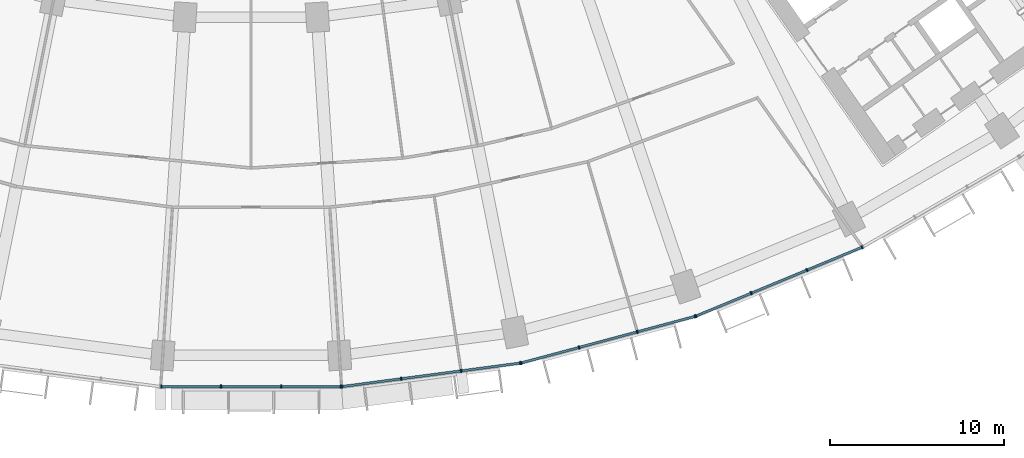
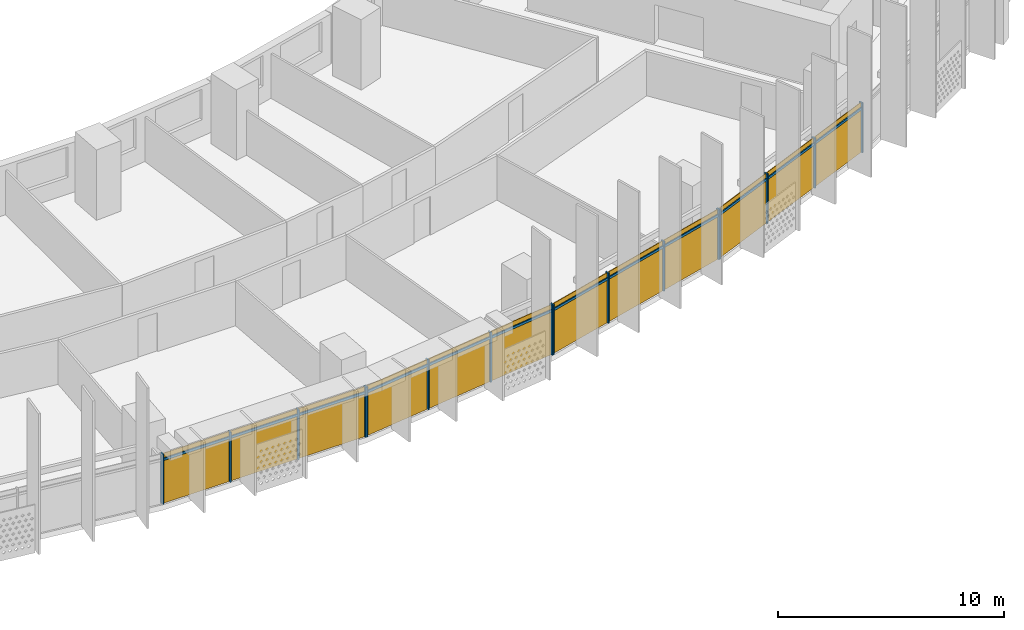
# One storey, part 22 of 32: 28 members, 4 curtain walls.
"""IFC4 building model written with IfcOpenShell, lengths in metres."""

from ifc_helpers import new_model, si_unit, direction, frame, origin, origin_2d, place, context, subcontext, project, spatial, rectangle, extrude, material, material_profile, profile_set, type_object, element, aggregate, save


model = new_model("IFC4")

# Units and contexts
model_context = context("Model", 3, precision=1e-05, world=origin(), true_north=direction((0.0, 1.0)))
body_context = subcontext(model_context, "Body", "Model", "MODEL_VIEW")
ifc_project = project(units=[si_unit("LENGTHUNIT", "METRE"), si_unit("AREAUNIT", "SQUARE_METRE"), si_unit("VOLUMEUNIT", "CUBIC_METRE"), si_unit("PLANEANGLEUNIT", "RADIAN"), si_unit("MASSUNIT", "GRAM", prefix="KILO")], contexts=[model_context])

# Member
ifc_material = material(Name="Aluminium 6063-T6 anodised", Category="aluminium")
ifc_material_profile_1 = material_profile(ifc_material, rectangle(XDim=0.199951171875, YDim=0.070068359375, at=origin_2d()))
ifc_profile_set_1 = profile_set([ifc_material_profile_1], Name="Aluminium 6063-T6 anodised")
member_type_1 = type_object("IfcMemberType", Name="Mullion 70 x 200 aluminium", PredefinedType="MULLION", material=ifc_profile_set_1)
site_placement = place(None, origin())
building_placement = place(site_placement, origin())
storey_placement = place(building_placement, frame((0.0, 0.0, 63.300048828125)))
member_1_placement = place(storey_placement, frame((-5.17431640625, -79.37939453125, 0.0), z_axis=(0.0, 0.0, 1.0), x_axis=(0.0, 1.0, 0.0)))
member_1 = element("IfcMember", 1, at=member_1_placement, type_object=member_type_1, Name="e-cw1-L12-out08/M00", PredefinedType="MULLION", context=body_context, shape_type="SweptSolid", body=[
    extrude(rectangle(XDim=0.199951171875, YDim=0.070068359375, at=origin_2d()), origin(), (0.0, 0.0, 1.0), 2.699951171875),
])

member_2_placement = place(storey_placement, frame((-1.736572265625, -79.37939453125, 0.0), z_axis=(0.0, 0.0, 1.0), x_axis=(0.0, 1.0, 0.0)))
member_2 = element("IfcMember", 2, at=member_2_placement, type_object=member_type_1, Name="e-cw1-L12-out08/M01", PredefinedType="MULLION", context=body_context, shape_type="SweptSolid", body=[
    extrude(rectangle(XDim=0.199951171875, YDim=0.070068359375, at=origin_2d()), origin(), (0.0, 0.0, 1.0), 2.699951171875),
])

member_3_placement = place(storey_placement, frame((1.736572265625, -79.37939453125, 0.0), z_axis=(0.0, 0.0, 1.0), x_axis=(0.0, 1.0, 0.0)))
member_3 = element("IfcMember", 3, at=member_3_placement, type_object=member_type_1, Name="e-cw1-L12-out08/M02", PredefinedType="MULLION", context=body_context, shape_type="SweptSolid", body=[
    extrude(rectangle(XDim=0.199951171875, YDim=0.070068359375, at=origin_2d()), origin(), (0.0, 0.0, 1.0), 2.699951171875),
])

member_4_placement = place(storey_placement, frame((5.17431640625, -79.37939453125, 0.0), z_axis=(0.0, 0.0, 1.0), x_axis=(0.0, 1.0, 0.0)))
member_4 = element("IfcMember", 4, at=member_4_placement, type_object=member_type_1, Name="e-cw1-L12-out08/M03", PredefinedType="MULLION", context=body_context, shape_type="SweptSolid", body=[
    extrude(rectangle(XDim=0.199951171875, YDim=0.070068359375, at=origin_2d()), origin(), (0.0, 0.0, 1.0), 2.699951171875),
])

member_5_placement = place(storey_placement, frame((5.23095703125, -79.375732421875, 0.0), z_axis=(0.0, 0.0, 1.0), x_axis=(-0.13052619222, 0.991444861374, 0.0)))
member_5 = element("IfcMember", 5, at=member_5_placement, type_object=member_type_1, Name="e-cw1-L12-out09/M00", PredefinedType="MULLION", context=body_context, shape_type="SweptSolid", body=[
    extrude(rectangle(XDim=0.199951171875, YDim=0.070068359375, at=origin_2d()), origin(), (0.0, 0.0, 1.0), 2.699951171875),
])

member_6_placement = place(storey_placement, frame((8.639404296875, -78.927001953125, 0.0), z_axis=(0.0, 0.0, 1.0), x_axis=(-0.13052619222, 0.991444861374, 0.0)))
member_6 = element("IfcMember", 6, at=member_6_placement, type_object=member_type_1, Name="e-cw1-L12-out09/M01", PredefinedType="MULLION", context=body_context, shape_type="SweptSolid", body=[
    extrude(rectangle(XDim=0.199951171875, YDim=0.070068359375, at=origin_2d()), origin(), (0.0, 0.0, 1.0), 2.699951171875),
])

member_7_placement = place(storey_placement, frame((12.082763671875, -78.4736328125, 0.0), z_axis=(0.0, 0.0, 1.0), x_axis=(-0.13052619222, 0.991444861374, 0.0)))
member_7 = element("IfcMember", 7, at=member_7_placement, type_object=member_type_1, Name="e-cw1-L12-out09/M02", PredefinedType="MULLION", context=body_context, shape_type="SweptSolid", body=[
    extrude(rectangle(XDim=0.199951171875, YDim=0.070068359375, at=origin_2d()), origin(), (0.0, 0.0, 1.0), 2.699951171875),
])

member_8_placement = place(storey_placement, frame((15.4912109375, -78.02490234375, 0.0), z_axis=(0.0, 0.0, 1.0), x_axis=(-0.13052619222, 0.991444861374, 0.0)))
member_8 = element("IfcMember", 8, at=member_8_placement, type_object=member_type_1, Name="e-cw1-L12-out09/M03", PredefinedType="MULLION", context=body_context, shape_type="SweptSolid", body=[
    extrude(rectangle(XDim=0.199951171875, YDim=0.070068359375, at=origin_2d()), origin(), (0.0, 0.0, 1.0), 2.699951171875),
])

member_9_placement = place(storey_placement, frame((15.546875, -78.013916015625, 0.0), z_axis=(0.0, 0.0, 1.0), x_axis=(-0.258819045103, 0.965925826289, 0.0)))
member_9 = element("IfcMember", 9, at=member_9_placement, type_object=member_type_1, Name="e-cw1-L12-out10/M00", PredefinedType="MULLION", context=body_context, shape_type="SweptSolid", body=[
    extrude(rectangle(XDim=0.199951171875, YDim=0.070068359375, at=origin_2d()), origin(), (0.0, 0.0, 1.0), 2.699951171875),
])

member_10_placement = place(storey_placement, frame((18.86767578125, -77.1240234375, 0.0), z_axis=(0.0, 0.0, 1.0), x_axis=(-0.258819045103, 0.965925826289, 0.0)))
member_10 = element("IfcMember", 10, at=member_10_placement, type_object=member_type_1, Name="e-cw1-L12-out10/M01", PredefinedType="MULLION", context=body_context, shape_type="SweptSolid", body=[
    extrude(rectangle(XDim=0.199951171875, YDim=0.070068359375, at=origin_2d()), origin(), (0.0, 0.0, 1.0), 2.699951171875),
])

member_11_placement = place(storey_placement, frame((22.22216796875, -76.225341796875, 0.0), z_axis=(0.0, 0.0, 1.0), x_axis=(-0.258819045103, 0.965925826289, 0.0)))
member_11 = element("IfcMember", 11, at=member_11_placement, type_object=member_type_1, Name="e-cw1-L12-out10/M02", PredefinedType="MULLION", context=body_context, shape_type="SweptSolid", body=[
    extrude(rectangle(XDim=0.199951171875, YDim=0.070068359375, at=origin_2d()), origin(), (0.0, 0.0, 1.0), 2.699951171875),
])

member_12_placement = place(storey_placement, frame((25.54296875, -75.33544921875, 0.0), z_axis=(0.0, 0.0, 1.0), x_axis=(-0.258819045103, 0.965925826289, 0.0)))
member_12 = element("IfcMember", 12, at=member_12_placement, type_object=member_type_1, Name="e-cw1-L12-out10/M03", PredefinedType="MULLION", context=body_context, shape_type="SweptSolid", body=[
    extrude(rectangle(XDim=0.199951171875, YDim=0.070068359375, at=origin_2d()), origin(), (0.0, 0.0, 1.0), 2.699951171875),
])

member_13_placement = place(storey_placement, frame((25.5966796875, -75.317138671875, 0.0), z_axis=(0.0, 0.0, 1.0), x_axis=(-0.382683432365, 0.923879532511, 0.0)))
member_13 = element("IfcMember", 13, at=member_13_placement, type_object=member_type_1, Name="e-cw1-L12-out11/M00", PredefinedType="MULLION", context=body_context, shape_type="SweptSolid", body=[
    extrude(rectangle(XDim=0.199951171875, YDim=0.070068359375, at=origin_2d()), origin(), (0.0, 0.0, 1.0), 2.699951171875),
])

member_14_placement = place(storey_placement, frame((28.77294921875, -74.00146484375, 0.0), z_axis=(0.0, 0.0, 1.0), x_axis=(-0.382683432365, 0.923879532511, 0.0)))
member_14 = element("IfcMember", 14, at=member_14_placement, type_object=member_type_1, Name="e-cw1-L12-out11/M01", PredefinedType="MULLION", context=body_context, shape_type="SweptSolid", body=[
    extrude(rectangle(XDim=0.199951171875, YDim=0.070068359375, at=origin_2d()), origin(), (0.0, 0.0, 1.0), 2.699951171875),
])

member_15_placement = place(storey_placement, frame((31.9814453125, -72.672607421875, 0.0), z_axis=(0.0, 0.0, 1.0), x_axis=(-0.382683432365, 0.923879532511, 0.0)))
member_15 = element("IfcMember", 15, at=member_15_placement, type_object=member_type_1, Name="e-cw1-L12-out11/M02", PredefinedType="MULLION", context=body_context, shape_type="SweptSolid", body=[
    extrude(rectangle(XDim=0.199951171875, YDim=0.070068359375, at=origin_2d()), origin(), (0.0, 0.0, 1.0), 2.699951171875),
])

member_16_placement = place(storey_placement, frame((35.15771484375, -71.35693359375, 0.0), z_axis=(0.0, 0.0, 1.0), x_axis=(-0.382683432365, 0.923879532511, 0.0)))
member_16 = element("IfcMember", 16, at=member_16_placement, type_object=member_type_1, Name="e-cw1-L12-out11/M03", PredefinedType="MULLION", context=body_context, shape_type="SweptSolid", body=[
    extrude(rectangle(XDim=0.199951171875, YDim=0.070068359375, at=origin_2d()), origin(), (0.0, 0.0, 1.0), 2.699951171875),
])

ifc_material_profile_2 = material_profile(ifc_material, rectangle(XDim=0.139892578125, YDim=0.1201171875, at=origin_2d()))
ifc_profile_set_2 = profile_set([ifc_material_profile_2], Name="Aluminium 6063-T6 anodised")
member_type_2 = type_object("IfcMemberType", Name="Transom 120 x 140 aluminium", PredefinedType="USERDEFINED", material=ifc_profile_set_2)
member_17_placement = place(storey_placement, frame((-5.139404296875, -79.37939453125, 2.39990234375), z_axis=(1.0, 0.0, 0.0), x_axis=(0.0, 1.0, 0.0)))
member_17 = element("IfcMember", 17, at=member_17_placement, type_object=member_type_2, Name="e-cw1-L12-out08/T00", ObjectType="TRANSOM", PredefinedType="USERDEFINED", context=body_context, shape_type="SweptSolid", body=[
    extrude(rectangle(XDim=0.139892578125, YDim=0.1201171875, at=origin_2d()), origin(), (0.0, 0.0, 1.0), 3.367919921875),
])

member_18_placement = place(storey_placement, frame((-1.701416015625, -79.37939453125, 2.39990234375), z_axis=(1.0, 0.0, 0.0), x_axis=(0.0, 1.0, 0.0)))
member_18 = element("IfcMember", 18, at=member_18_placement, type_object=member_type_2, Name="e-cw1-L12-out08/T01", ObjectType="TRANSOM", PredefinedType="USERDEFINED", context=body_context, shape_type="SweptSolid", body=[
    extrude(rectangle(XDim=0.139892578125, YDim=0.1201171875, at=origin_2d()), origin(), (0.0, 0.0, 1.0), 3.40283203125),
])

member_19_placement = place(storey_placement, frame((1.771484375, -79.37939453125, 2.39990234375), z_axis=(1.0, 0.0, 0.0), x_axis=(0.0, 1.0, 0.0)))
member_19 = element("IfcMember", 19, at=member_19_placement, type_object=member_type_2, Name="e-cw1-L12-out08/T02", ObjectType="TRANSOM", PredefinedType="USERDEFINED", context=body_context, shape_type="SweptSolid", body=[
    extrude(rectangle(XDim=0.139892578125, YDim=0.1201171875, at=origin_2d()), origin(), (0.0, 0.0, 1.0), 3.367919921875),
])

member_20_placement = place(storey_placement, frame((5.265625, -79.37109375, 2.39990234375), z_axis=(0.991450594138, 0.130482640159, 0.0), x_axis=(-0.130482640159, 0.991450594138, 0.0)))
member_20 = element("IfcMember", 20, at=member_20_placement, type_object=member_type_2, Name="e-cw1-L12-out09/T00", ObjectType="TRANSOM", PredefinedType="USERDEFINED", context=body_context, shape_type="SweptSolid", body=[
    extrude(rectangle(XDim=0.139892578125, YDim=0.1201171875, at=origin_2d()), origin(), (0.0, 0.0, 1.0), 3.367919921875),
])

member_21_placement = place(storey_placement, frame((8.67431640625, -78.92236328125, 2.39990234375), z_axis=(0.991447700941, 0.130504621753, 0.0), x_axis=(-0.130504621753, 0.991447700941, 0.0)))
member_21 = element("IfcMember", 21, at=member_21_placement, type_object=member_type_2, Name="e-cw1-L12-out09/T01", ObjectType="TRANSOM", PredefinedType="USERDEFINED", context=body_context, shape_type="SweptSolid", body=[
    extrude(rectangle(XDim=0.139892578125, YDim=0.1201171875, at=origin_2d()), origin(), (0.0, 0.0, 1.0), 3.40283203125),
])

member_22_placement = place(storey_placement, frame((12.117431640625, -78.46923828125, 2.39990234375), z_axis=(0.9914412138, 0.130553895303, 0.0), x_axis=(-0.130553895303, 0.9914412138, 0.0)))
member_22 = element("IfcMember", 22, at=member_22_placement, type_object=member_type_2, Name="e-cw1-L12-out09/T02", ObjectType="TRANSOM", PredefinedType="USERDEFINED", context=body_context, shape_type="SweptSolid", body=[
    extrude(rectangle(XDim=0.139892578125, YDim=0.1201171875, at=origin_2d()), origin(), (0.0, 0.0, 1.0), 3.367919921875),
])

member_23_placement = place(storey_placement, frame((15.58056640625, -78.0048828125, 2.39990234375), z_axis=(0.965915368772, 0.258858069935, 0.0), x_axis=(-0.258858069935, 0.965915368772, 0.0)))
member_23 = element("IfcMember", 23, at=member_23_placement, type_object=member_type_2, Name="e-cw1-L12-out10/T00", ObjectType="TRANSOM", PredefinedType="USERDEFINED", context=body_context, shape_type="SweptSolid", body=[
    extrude(rectangle(XDim=0.139892578125, YDim=0.1201171875, at=origin_2d()), origin(), (0.0, 0.0, 1.0), 3.367919921875),
])

member_24_placement = place(storey_placement, frame((18.9013671875, -77.114990234375, 2.39990234375), z_axis=(0.965937804901, 0.258774336176, 0.0), x_axis=(-0.258774336176, 0.965937804901, 0.0)))
member_24 = element("IfcMember", 24, at=member_24_placement, type_object=member_type_2, Name="e-cw1-L12-out10/T01", ObjectType="TRANSOM", PredefinedType="USERDEFINED", context=body_context, shape_type="SweptSolid", body=[
    extrude(rectangle(XDim=0.139892578125, YDim=0.1201171875, at=origin_2d()), origin(), (0.0, 0.0, 1.0), 3.403076171875),
])

member_25_placement = place(storey_placement, frame((22.256103515625, -76.21630859375, 2.39990234375), z_axis=(0.965915368772, 0.258858069935, 0.0), x_axis=(-0.258858069935, 0.965915368772, 0.0)))
member_25 = element("IfcMember", 25, at=member_25_placement, type_object=member_type_2, Name="e-cw1-L12-out10/T02", ObjectType="TRANSOM", PredefinedType="USERDEFINED", context=body_context, shape_type="SweptSolid", body=[
    extrude(rectangle(XDim=0.139892578125, YDim=0.1201171875, at=origin_2d()), origin(), (0.0, 0.0, 1.0), 3.367919921875),
])

member_26_placement = place(storey_placement, frame((25.629150390625, -75.3037109375, 2.39990234375), z_axis=(0.923872807855, 0.382699666719, 0.0), x_axis=(-0.382699666719, 0.923872807855, 0.0)))
member_26 = element("IfcMember", 26, at=member_26_placement, type_object=member_type_2, Name="e-cw1-L12-out11/T00", ObjectType="TRANSOM", PredefinedType="USERDEFINED", context=body_context, shape_type="SweptSolid", body=[
    extrude(rectangle(XDim=0.139892578125, YDim=0.1201171875, at=origin_2d()), origin(), (0.0, 0.0, 1.0), 3.36767578125),
])

member_27_placement = place(storey_placement, frame((28.80517578125, -73.98828125, 2.39990234375), z_axis=(0.92388567708, 0.382668597728, 0.0), x_axis=(-0.382668597728, 0.92388567708, 0.0)))
member_27 = element("IfcMember", 27, at=member_27_placement, type_object=member_type_2, Name="e-cw1-L12-out11/T01", ObjectType="TRANSOM", PredefinedType="USERDEFINED", context=body_context, shape_type="SweptSolid", body=[
    extrude(rectangle(XDim=0.139892578125, YDim=0.1201171875, at=origin_2d()), origin(), (0.0, 0.0, 1.0), 3.403076171875),
])

member_28_placement = place(storey_placement, frame((32.013916015625, -72.6591796875, 2.39990234375), z_axis=(0.923872807855, 0.382699666719, 0.0), x_axis=(-0.382699666719, 0.923872807855, 0.0)))
member_28 = element("IfcMember", 28, at=member_28_placement, type_object=member_type_2, Name="e-cw1-L12-out11/T02", ObjectType="TRANSOM", PredefinedType="USERDEFINED", context=body_context, shape_type="SweptSolid", body=[
    extrude(rectangle(XDim=0.139892578125, YDim=0.1201171875, at=origin_2d()), origin(), (0.0, 0.0, 1.0), 3.36767578125),
])

# Site, building, storey
site = spatial("IfcSite", under=ifc_project, at=site_placement, CompositionType="ELEMENT")
building = spatial("IfcBuilding", under=site, at=building_placement, Name="Qamariyya Broadcast Tower", CompositionType="ELEMENT")
storey = spatial("IfcBuildingStorey", under=building, at=storey_placement, Name="L12", CompositionType="ELEMENT", Elevation=63.300048828125)

# Curtain wall
curtain_wall_type = type_object("IfcCurtainWallType", Name="Unitised curtain wall, anodised aluminium", PredefinedType="NOTDEFINED", material=ifc_material)
curtain_wall_1_placement = place(storey_placement, origin())
curtain_wall_1 = element("IfcCurtainWall", 29, at=curtain_wall_1_placement, inside=storey, type_object=curtain_wall_type, Name="e-cw1-L12-out08", PredefinedType="NOTDEFINED", context=body_context, shape_type="SweptSolid", body=[
    extrude(rectangle(XDim=3.367919921875, YDim=0.031982421875, at=origin_2d()), frame((-3.45556640625, -79.37939453125, 0.0), x_axis=(1.0, 0.0, 0.0)), (0.0, 0.0, 1.0), 2.340087890625),
    extrude(rectangle(XDim=3.367919921875, YDim=0.031982421875, at=origin_2d()), frame((-3.45556640625, -79.37939453125, 2.4599609375), x_axis=(1.0, 0.0, 0.0)), (0.0, 0.0, 1.0), 0.239990234375),
    extrude(rectangle(XDim=3.403076171875, YDim=0.031982421875, at=origin_2d()), frame((0.0, -79.37939453125, 0.0), x_axis=(1.0, 0.0, 0.0)), (0.0, 0.0, 1.0), 2.340087890625),
    extrude(rectangle(XDim=3.403076171875, YDim=0.031982421875, at=origin_2d()), frame((0.0, -79.37939453125, 2.4599609375), x_axis=(1.0, 0.0, 0.0)), (0.0, 0.0, 1.0), 0.239990234375),
    extrude(rectangle(XDim=3.367919921875, YDim=0.031982421875, at=origin_2d()), frame((3.45556640625, -79.37939453125, 0.0), x_axis=(1.0, 0.0, 0.0)), (0.0, 0.0, 1.0), 2.340087890625),
    extrude(rectangle(XDim=3.367919921875, YDim=0.031982421875, at=origin_2d()), frame((3.45556640625, -79.37939453125, 2.4599609375), x_axis=(1.0, 0.0, 0.0)), (0.0, 0.0, 1.0), 0.239990234375),
])

aggregate(curtain_wall_1, [member_1, member_2, member_3, member_4, member_17, member_18, member_19])

curtain_wall_2_placement = place(storey_placement, origin())
curtain_wall_2 = element("IfcCurtainWall", 30, at=curtain_wall_2_placement, inside=storey, type_object=curtain_wall_type, Name="e-cw1-L12-out09", PredefinedType="NOTDEFINED", context=body_context, shape_type="SweptSolid", body=[
    extrude(rectangle(XDim=3.367919921875, YDim=0.031982421875, at=origin_2d()), frame((6.935302734375, -79.1513671875, 0.0), x_axis=(0.991445519925, 0.130521189931, 0.0)), (0.0, 0.0, 1.0), 2.340087890625),
    extrude(rectangle(XDim=3.367919921875, YDim=0.031982421875, at=origin_2d()), frame((6.935302734375, -79.1513671875, 2.4599609375), x_axis=(0.991445519925, 0.130521189931, 0.0)), (0.0, 0.0, 1.0), 0.239990234375),
    extrude(rectangle(XDim=3.40283203125, YDim=0.031982421875, at=origin_2d()), frame((10.361083984375, -78.700439453125, 0.0), x_axis=(0.991445519925, 0.130521189931, 0.0)), (0.0, 0.0, 1.0), 2.340087890625),
    extrude(rectangle(XDim=3.40283203125, YDim=0.031982421875, at=origin_2d()), frame((10.361083984375, -78.700439453125, 2.4599609375), x_axis=(0.991445519925, 0.130521189931, 0.0)), (0.0, 0.0, 1.0), 0.239990234375),
    extrude(rectangle(XDim=3.367919921875, YDim=0.031982421875, at=origin_2d()), frame((13.786865234375, -78.24951171875, 0.0), x_axis=(0.991445519925, 0.130521189931, 0.0)), (0.0, 0.0, 1.0), 2.340087890625),
    extrude(rectangle(XDim=3.367919921875, YDim=0.031982421875, at=origin_2d()), frame((13.786865234375, -78.24951171875, 2.4599609375), x_axis=(0.991445519925, 0.130521189931, 0.0)), (0.0, 0.0, 1.0), 0.239990234375),
])

aggregate(curtain_wall_2, [member_5, member_6, member_7, member_8, member_20, member_21, member_22])

curtain_wall_3_placement = place(storey_placement, origin())
curtain_wall_3 = element("IfcCurtainWall", 31, at=curtain_wall_3_placement, inside=storey, type_object=curtain_wall_type, Name="e-cw1-L12-out10", PredefinedType="NOTDEFINED", context=body_context, shape_type="SweptSolid", body=[
    extrude(rectangle(XDim=3.367919921875, YDim=0.031982421875, at=origin_2d()), frame((17.207275390625, -77.569091796875, 0.0), x_axis=(0.965925039578, 0.258821981129, 0.0)), (0.0, 0.0, 1.0), 2.340087890625),
    extrude(rectangle(XDim=3.367919921875, YDim=0.031982421875, at=origin_2d()), frame((17.207275390625, -77.569091796875, 2.4599609375), x_axis=(0.965925039578, 0.258821981129, 0.0)), (0.0, 0.0, 1.0), 0.239990234375),
    extrude(rectangle(XDim=3.40283203125, YDim=0.031982421875, at=origin_2d()), frame((20.544921875, -76.6748046875, 0.0), x_axis=(0.965925039578, 0.258821981129, 0.0)), (0.0, 0.0, 1.0), 2.340087890625),
    extrude(rectangle(XDim=3.40283203125, YDim=0.031982421875, at=origin_2d()), frame((20.544921875, -76.6748046875, 2.4599609375), x_axis=(0.965925039578, 0.258821981129, 0.0)), (0.0, 0.0, 1.0), 0.239990234375),
    extrude(rectangle(XDim=3.367919921875, YDim=0.031982421875, at=origin_2d()), frame((23.882568359375, -75.7802734375, 0.0), x_axis=(0.965925039578, 0.258821981129, 0.0)), (0.0, 0.0, 1.0), 2.340087890625),
    extrude(rectangle(XDim=3.367919921875, YDim=0.031982421875, at=origin_2d()), frame((23.882568359375, -75.7802734375, 2.4599609375), x_axis=(0.965925039578, 0.258821981129, 0.0)), (0.0, 0.0, 1.0), 0.239990234375),
])

aggregate(curtain_wall_3, [member_9, member_10, member_11, member_12, member_23, member_24, member_25])

curtain_wall_4_placement = place(storey_placement, origin())
curtain_wall_4 = element("IfcCurtainWall", 32, at=curtain_wall_4_placement, inside=storey, type_object=curtain_wall_type, Name="e-cw1-L12-out11", PredefinedType="NOTDEFINED", context=body_context, shape_type="SweptSolid", body=[
    extrude(rectangle(XDim=3.367919921875, YDim=0.031982421875, at=origin_2d()), frame((27.184814453125, -74.659423828125, 0.0), x_axis=(0.92387774222, 0.382687754482, 0.0)), (0.0, 0.0, 1.0), 2.340087890625),
    extrude(rectangle(XDim=3.367919921875, YDim=0.031982421875, at=origin_2d()), frame((27.184814453125, -74.659423828125, 2.4599609375), x_axis=(0.92387774222, 0.382687754482, 0.0)), (0.0, 0.0, 1.0), 0.239990234375),
    extrude(rectangle(XDim=3.40283203125, YDim=0.031982421875, at=origin_2d()), frame((30.377197265625, -73.3369140625, 0.0), x_axis=(0.92387774222, 0.382687754482, 0.0)), (0.0, 0.0, 1.0), 2.340087890625),
    extrude(rectangle(XDim=3.40283203125, YDim=0.031982421875, at=origin_2d()), frame((30.377197265625, -73.3369140625, 2.4599609375), x_axis=(0.92387774222, 0.382687754482, 0.0)), (0.0, 0.0, 1.0), 0.239990234375),
    extrude(rectangle(XDim=3.367919921875, YDim=0.031982421875, at=origin_2d()), frame((33.569580078125, -72.0146484375, 0.0), x_axis=(0.92387774222, 0.382687754482, 0.0)), (0.0, 0.0, 1.0), 2.340087890625),
    extrude(rectangle(XDim=3.367919921875, YDim=0.031982421875, at=origin_2d()), frame((33.569580078125, -72.0146484375, 2.4599609375), x_axis=(0.92387774222, 0.382687754482, 0.0)), (0.0, 0.0, 1.0), 0.239990234375),
])

aggregate(curtain_wall_4, [member_13, member_14, member_15, member_16, member_26, member_27, member_28])

save(model, "model.ifc")
